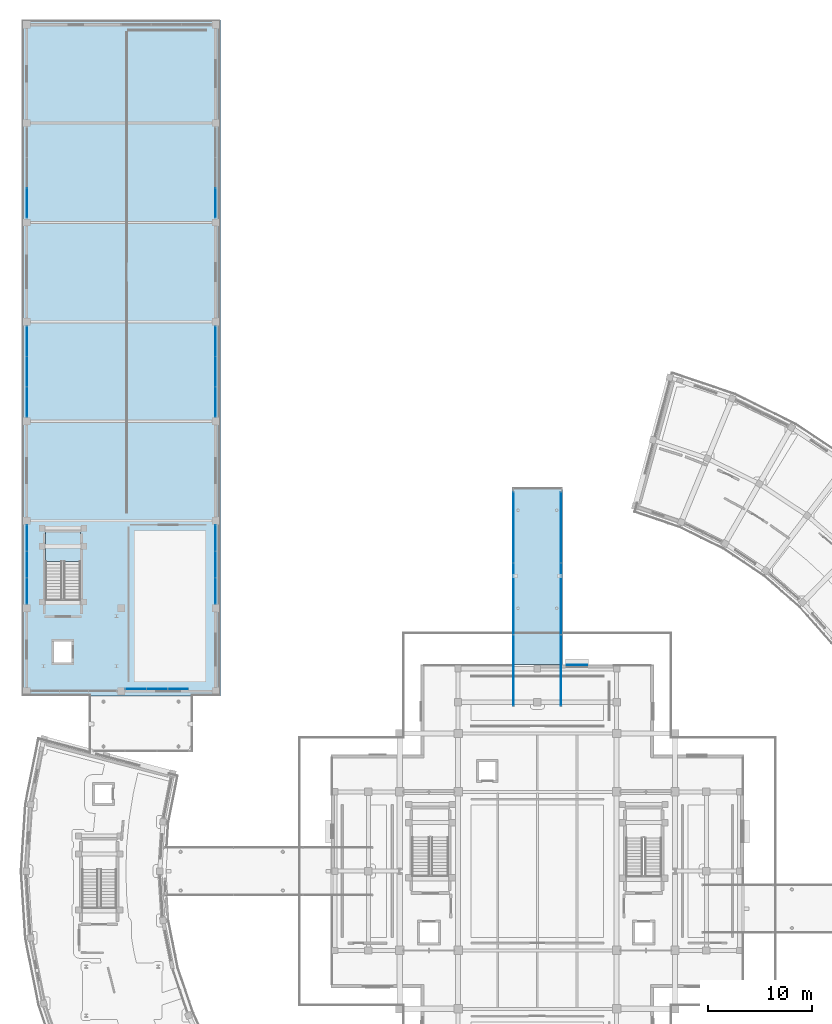
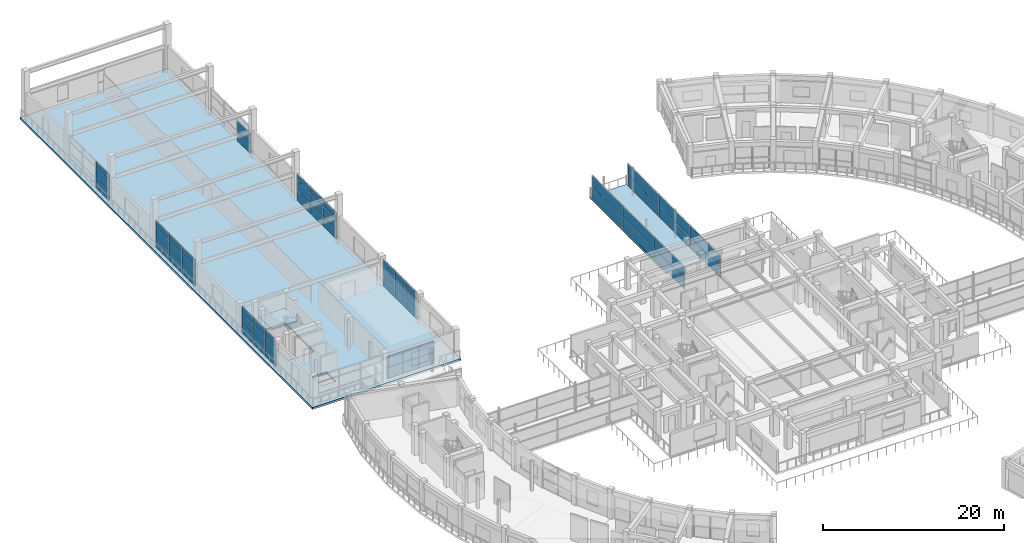
# One storey, part 41 of 72: 60 plates, 3 slabs, 10 elements without a shape of their own.
"""IFC4 building model written with IfcOpenShell, lengths in metres."""

from ifc_helpers import new_model, si_unit, direction, frame, origin, origin_2d, place, context, subcontext, project, spatial, polyline, rectangle, outline, extrude, material, layer, layer_set, type_object, element, aggregate, save


model = new_model("IFC4")

# Units and contexts
model_context = context("Model", 3, precision=1e-05, world=origin(), true_north=direction((0.0, 1.0)))
body_context = subcontext(model_context, "Body", "Model", "MODEL_VIEW")
ifc_project = project(units=[si_unit("LENGTHUNIT", "METRE"), si_unit("AREAUNIT", "SQUARE_METRE"), si_unit("VOLUMEUNIT", "CUBIC_METRE"), si_unit("PLANEANGLEUNIT", "RADIAN"), si_unit("MASSUNIT", "GRAM", prefix="KILO")], contexts=[model_context])

# Site, building, storey
site_placement = place(None, origin())
site = spatial("IfcSite", under=ifc_project, at=site_placement, CompositionType="ELEMENT")
building_placement = place(site_placement, origin())
building = spatial("IfcBuilding", under=site, at=building_placement, Name="Saryqyr Civic Hall", CompositionType="ELEMENT")
storey_placement = place(building_placement, frame((0.0, 0.0, 17.25)))
storey = spatial("IfcBuildingStorey", under=building, at=storey_placement, Name="L04", CompositionType="ELEMENT", Elevation=17.25)

# Curtain wall, plates
ifc_material_1 = material(Name="Anodised aluminium and triple low-E glass", Category="aluminium")
curtain_wall_type_1 = type_object("IfcCurtainWallType", Name="ENV-CW-STD-55", PredefinedType="NOTDEFINED", material=ifc_material_1)
curtain_wall_1_placement = place(storey_placement, origin())
curtain_wall_1 = element("IfcCurtainWall", 1, at=curtain_wall_1_placement, inside=storey, type_object=curtain_wall_type_1, Name="Curtain wall V3-CW-L04-1-1", PredefinedType="NOTDEFINED")
ifc_material_2 = material(Name="Triple low-E insulated glazing", Category="glass")
ifc_layer_1 = layer(ifc_material_2, 0.053955078125, Name="Triple low-E insulated glazing")
ifc_layer_set_1 = layer_set([ifc_layer_1], Name="Triple low-E insulated glazing")
plate_type_1 = type_object("IfcPlateType", Name="ENV-CW-PNL-38", PredefinedType="CURTAIN_PANEL", material=ifc_layer_set_1)
plate_1_placement = place(storey_placement, frame((26.14990234375, 148.05322265625, 0.06005859375), z_axis=(0.0, 0.0, 1.0), x_axis=(0.0, -1.0, 0.0)))
plate_1 = element("IfcPlate", 2, at=plate_1_placement, type_object=plate_type_1, Name="CW-55 panel 3.1", PredefinedType="CURTAIN_PANEL", context=body_context, shape_type="SweptSolid", body=[
    extrude(rectangle(XDim=2.82666015625, YDim=0.053955078125, at=origin_2d()), origin(), (0.0, 0.0, 1.0), 1.241943359375),
])
plate_2_placement = place(storey_placement, frame((26.14990234375, 148.05322265625, 1.362060546875), z_axis=(0.0, 0.0, 1.0), x_axis=(0.0, -1.0, 0.0)))
plate_2 = element("IfcPlate", 3, at=plate_2_placement, type_object=plate_type_1, Name="CW-55 panel 3.2", PredefinedType="CURTAIN_PANEL", context=body_context, shape_type="SweptSolid", body=[
    extrude(rectangle(XDim=2.82666015625, YDim=0.053955078125, at=origin_2d()), origin(), (0.0, 0.0, 1.0), 1.419921875),
])
aggregate(curtain_wall_1, [plate_1, plate_2])

curtain_wall_2_placement = place(storey_placement, origin())
curtain_wall_2 = element("IfcCurtainWall", 4, at=curtain_wall_2_placement, inside=storey, type_object=curtain_wall_type_1, Name="Curtain wall V3-CW-L04-1-3", PredefinedType="NOTDEFINED")
plate_3_placement = place(storey_placement, frame((26.14990234375, 134.796630859375, 0.06005859375), z_axis=(0.0, 0.0, 1.0), x_axis=(0.0, -1.0, 0.0)))
plate_3 = element("IfcPlate", 5, at=plate_3_placement, type_object=plate_type_1, Name="CW-55 panel 1.1", PredefinedType="CURTAIN_PANEL", context=body_context, shape_type="SweptSolid", body=[
    extrude(rectangle(XDim=2.82666015625, YDim=0.053955078125, at=origin_2d()), origin(), (0.0, 0.0, 1.0), 1.241943359375),
])
plate_4_placement = place(storey_placement, frame((26.14990234375, 134.796630859375, 1.362060546875), z_axis=(0.0, 0.0, 1.0), x_axis=(0.0, -1.0, 0.0)))
plate_4 = element("IfcPlate", 6, at=plate_4_placement, type_object=plate_type_1, Name="CW-55 panel 1.2", PredefinedType="CURTAIN_PANEL", context=body_context, shape_type="SweptSolid", body=[
    extrude(rectangle(XDim=2.82666015625, YDim=0.053955078125, at=origin_2d()), origin(), (0.0, 0.0, 1.0), 1.419921875),
])
plate_5_placement = place(storey_placement, frame((26.14990234375, 134.796630859375, 2.841796875), z_axis=(0.0, 0.0, 1.0), x_axis=(0.0, -1.0, 0.0)))
plate_5 = element("IfcPlate", 7, at=plate_5_placement, type_object=plate_type_1, Name="CW-55 panel 1.3", PredefinedType="CURTAIN_PANEL", context=body_context, shape_type="SweptSolid", body=[
    extrude(rectangle(XDim=2.82666015625, YDim=0.053955078125, at=origin_2d()), origin(), (0.0, 0.0, 1.0), 0.798095703125),
])
plate_6_placement = place(storey_placement, frame((26.14990234375, 131.89501953125, 0.06005859375), z_axis=(0.0, 0.0, 1.0), x_axis=(0.0, -1.0, 0.0)))
plate_6 = element("IfcPlate", 8, at=plate_6_placement, type_object=plate_type_1, Name="CW-55 panel 2.1", PredefinedType="CURTAIN_PANEL", context=body_context, shape_type="SweptSolid", body=[
    extrude(rectangle(XDim=2.856689453125, YDim=0.053955078125, at=origin_2d()), origin(), (0.0, 0.0, 1.0), 1.241943359375),
])
plate_7_placement = place(storey_placement, frame((26.14990234375, 131.89501953125, 1.362060546875), z_axis=(0.0, 0.0, 1.0), x_axis=(0.0, -1.0, 0.0)))
plate_7 = element("IfcPlate", 9, at=plate_7_placement, type_object=plate_type_1, Name="CW-55 panel 2.2", PredefinedType="CURTAIN_PANEL", context=body_context, shape_type="SweptSolid", body=[
    extrude(rectangle(XDim=2.856689453125, YDim=0.053955078125, at=origin_2d()), origin(), (0.0, 0.0, 1.0), 1.419921875),
])
plate_8_placement = place(storey_placement, frame((26.14990234375, 131.89501953125, 2.841796875), z_axis=(0.0, 0.0, 1.0), x_axis=(0.0, -1.0, 0.0)))
plate_8 = element("IfcPlate", 10, at=plate_8_placement, type_object=plate_type_1, Name="CW-55 panel 2.3", PredefinedType="CURTAIN_PANEL", context=body_context, shape_type="SweptSolid", body=[
    extrude(rectangle(XDim=2.856689453125, YDim=0.053955078125, at=origin_2d()), origin(), (0.0, 0.0, 1.0), 0.798095703125),
])
plate_9_placement = place(storey_placement, frame((26.14990234375, 128.993408203125, 0.06005859375), z_axis=(0.0, 0.0, 1.0), x_axis=(0.0, -1.0, 0.0)))
plate_9 = element("IfcPlate", 11, at=plate_9_placement, type_object=plate_type_1, Name="CW-55 panel 3.1", PredefinedType="CURTAIN_PANEL", context=body_context, shape_type="SweptSolid", body=[
    extrude(rectangle(XDim=2.82666015625, YDim=0.053955078125, at=origin_2d()), origin(), (0.0, 0.0, 1.0), 1.241943359375),
])
plate_10_placement = place(storey_placement, frame((26.14990234375, 128.993408203125, 1.362060546875), z_axis=(0.0, 0.0, 1.0), x_axis=(0.0, -1.0, 0.0)))
plate_10 = element("IfcPlate", 12, at=plate_10_placement, type_object=plate_type_1, Name="CW-55 panel 3.2", PredefinedType="CURTAIN_PANEL", context=body_context, shape_type="SweptSolid", body=[
    extrude(rectangle(XDim=2.82666015625, YDim=0.053955078125, at=origin_2d()), origin(), (0.0, 0.0, 1.0), 1.419921875),
])
plate_11_placement = place(storey_placement, frame((26.14990234375, 128.993408203125, 2.841796875), z_axis=(0.0, 0.0, 1.0), x_axis=(0.0, -1.0, 0.0)))
plate_11 = element("IfcPlate", 13, at=plate_11_placement, type_object=plate_type_1, Name="CW-55 panel 3.3", PredefinedType="CURTAIN_PANEL", context=body_context, shape_type="SweptSolid", body=[
    extrude(rectangle(XDim=2.82666015625, YDim=0.053955078125, at=origin_2d()), origin(), (0.0, 0.0, 1.0), 0.798095703125),
])
aggregate(curtain_wall_2, [plate_3, plate_4, plate_5, plate_6, plate_7, plate_8, plate_9, plate_10, plate_11])

curtain_wall_type_2 = type_object("IfcCurtainWallType", Name="ENV-CW-STD-56", PredefinedType="NOTDEFINED", material=ifc_material_1)
curtain_wall_3_placement = place(storey_placement, origin())
curtain_wall_3 = element("IfcCurtainWall", 14, at=curtain_wall_3_placement, inside=storey, type_object=curtain_wall_type_2, Name="Curtain wall V3-CW-L04-1-5", PredefinedType="NOTDEFINED")
plate_12_placement = place(storey_placement, frame((26.14990234375, 115.925048828125, 0.06005859375), z_axis=(0.0, 0.0, 1.0), x_axis=(0.0, -1.0, 0.0)))
plate_12 = element("IfcPlate", 15, at=plate_12_placement, type_object=plate_type_1, Name="CW-56 panel 1.1", PredefinedType="CURTAIN_PANEL", context=body_context, shape_type="SweptSolid", body=[
    extrude(rectangle(XDim=2.449951171875, YDim=0.053955078125, at=origin_2d()), origin(), (0.0, 0.0, 1.0), 1.241943359375),
])
plate_13_placement = place(storey_placement, frame((26.14990234375, 115.925048828125, 1.362060546875), z_axis=(0.0, 0.0, 1.0), x_axis=(0.0, -1.0, 0.0)))
plate_13 = element("IfcPlate", 16, at=plate_13_placement, type_object=plate_type_1, Name="CW-56 panel 1.2", PredefinedType="CURTAIN_PANEL", context=body_context, shape_type="SweptSolid", body=[
    extrude(rectangle(XDim=2.449951171875, YDim=0.053955078125, at=origin_2d()), origin(), (0.0, 0.0, 1.0), 1.419921875),
])
plate_14_placement = place(storey_placement, frame((26.14990234375, 115.925048828125, 2.841796875), z_axis=(0.0, 0.0, 1.0), x_axis=(0.0, -1.0, 0.0)))
plate_14 = element("IfcPlate", 17, at=plate_14_placement, type_object=plate_type_1, Name="CW-56 panel 1.3", PredefinedType="CURTAIN_PANEL", context=body_context, shape_type="SweptSolid", body=[
    extrude(rectangle(XDim=2.449951171875, YDim=0.053955078125, at=origin_2d()), origin(), (0.0, 0.0, 1.0), 0.798095703125),
])
plate_15_placement = place(storey_placement, frame((26.14990234375, 113.39990234375, 0.06005859375), z_axis=(0.0, 0.0, 1.0), x_axis=(0.0, -1.0, 0.0)))
plate_15 = element("IfcPlate", 18, at=plate_15_placement, type_object=plate_type_1, Name="CW-56 panel 2.1", PredefinedType="CURTAIN_PANEL", context=body_context, shape_type="SweptSolid", body=[
    extrude(rectangle(XDim=2.47998046875, YDim=0.053955078125, at=origin_2d()), origin(), (0.0, 0.0, 1.0), 1.241943359375),
])
plate_16_placement = place(storey_placement, frame((26.14990234375, 113.39990234375, 1.362060546875), z_axis=(0.0, 0.0, 1.0), x_axis=(0.0, -1.0, 0.0)))
plate_16 = element("IfcPlate", 19, at=plate_16_placement, type_object=plate_type_1, Name="CW-56 panel 2.2", PredefinedType="CURTAIN_PANEL", context=body_context, shape_type="SweptSolid", body=[
    extrude(rectangle(XDim=2.47998046875, YDim=0.053955078125, at=origin_2d()), origin(), (0.0, 0.0, 1.0), 1.419921875),
])
plate_17_placement = place(storey_placement, frame((26.14990234375, 113.39990234375, 2.841796875), z_axis=(0.0, 0.0, 1.0), x_axis=(0.0, -1.0, 0.0)))
plate_17 = element("IfcPlate", 20, at=plate_17_placement, type_object=plate_type_1, Name="CW-56 panel 2.3", PredefinedType="CURTAIN_PANEL", context=body_context, shape_type="SweptSolid", body=[
    extrude(rectangle(XDim=2.47998046875, YDim=0.053955078125, at=origin_2d()), origin(), (0.0, 0.0, 1.0), 0.798095703125),
])
plate_18_placement = place(storey_placement, frame((26.14990234375, 110.875, 0.06005859375), z_axis=(0.0, 0.0, 1.0), x_axis=(0.0, -1.0, 0.0)))
plate_18 = element("IfcPlate", 21, at=plate_18_placement, type_object=plate_type_1, Name="CW-56 panel 3.1", PredefinedType="CURTAIN_PANEL", context=body_context, shape_type="SweptSolid", body=[
    extrude(rectangle(XDim=2.449951171875, YDim=0.053955078125, at=origin_2d()), origin(), (0.0, 0.0, 1.0), 1.241943359375),
])
plate_19_placement = place(storey_placement, frame((26.14990234375, 110.875, 1.362060546875), z_axis=(0.0, 0.0, 1.0), x_axis=(0.0, -1.0, 0.0)))
plate_19 = element("IfcPlate", 22, at=plate_19_placement, type_object=plate_type_1, Name="CW-56 panel 3.2", PredefinedType="CURTAIN_PANEL", context=body_context, shape_type="SweptSolid", body=[
    extrude(rectangle(XDim=2.449951171875, YDim=0.053955078125, at=origin_2d()), origin(), (0.0, 0.0, 1.0), 1.419921875),
])
plate_20_placement = place(storey_placement, frame((26.14990234375, 110.875, 2.841796875), z_axis=(0.0, 0.0, 1.0), x_axis=(0.0, -1.0, 0.0)))
plate_20 = element("IfcPlate", 23, at=plate_20_placement, type_object=plate_type_1, Name="CW-56 panel 3.3", PredefinedType="CURTAIN_PANEL", context=body_context, shape_type="SweptSolid", body=[
    extrude(rectangle(XDim=2.449951171875, YDim=0.053955078125, at=origin_2d()), origin(), (0.0, 0.0, 1.0), 0.798095703125),
])
aggregate(curtain_wall_3, [plate_12, plate_13, plate_14, plate_15, plate_16, plate_17, plate_18, plate_19, plate_20])

curtain_wall_4_placement = place(storey_placement, origin())
curtain_wall_4 = element("IfcCurtainWall", 24, at=curtain_wall_4_placement, inside=storey, type_object=curtain_wall_type_2, Name="Curtain wall V3-CW-L04-3-1", PredefinedType="NOTDEFINED")
plate_21_placement = place(storey_placement, frame((8.050048828125, 110.875, 0.06005859375), z_axis=(0.0, 0.0, 1.0), x_axis=(0.0, 1.0, 0.0)))
plate_21 = element("IfcPlate", 25, at=plate_21_placement, type_object=plate_type_1, Name="CW-56 panel 1.1", PredefinedType="CURTAIN_PANEL", context=body_context, shape_type="SweptSolid", body=[
    extrude(rectangle(XDim=2.449951171875, YDim=0.053955078125, at=origin_2d()), origin(), (0.0, 0.0, 1.0), 1.241943359375),
])
plate_22_placement = place(storey_placement, frame((8.050048828125, 110.875, 1.362060546875), z_axis=(0.0, 0.0, 1.0), x_axis=(0.0, 1.0, 0.0)))
plate_22 = element("IfcPlate", 26, at=plate_22_placement, type_object=plate_type_1, Name="CW-56 panel 1.2", PredefinedType="CURTAIN_PANEL", context=body_context, shape_type="SweptSolid", body=[
    extrude(rectangle(XDim=2.449951171875, YDim=0.053955078125, at=origin_2d()), origin(), (0.0, 0.0, 1.0), 1.419921875),
])
plate_23_placement = place(storey_placement, frame((8.050048828125, 110.875, 2.841796875), z_axis=(0.0, 0.0, 1.0), x_axis=(0.0, 1.0, 0.0)))
plate_23 = element("IfcPlate", 27, at=plate_23_placement, type_object=plate_type_1, Name="CW-56 panel 1.3", PredefinedType="CURTAIN_PANEL", context=body_context, shape_type="SweptSolid", body=[
    extrude(rectangle(XDim=2.449951171875, YDim=0.053955078125, at=origin_2d()), origin(), (0.0, 0.0, 1.0), 0.798095703125),
])
plate_24_placement = place(storey_placement, frame((8.050048828125, 113.39990234375, 0.06005859375), z_axis=(0.0, 0.0, 1.0), x_axis=(0.0, 1.0, 0.0)))
plate_24 = element("IfcPlate", 28, at=plate_24_placement, type_object=plate_type_1, Name="CW-56 panel 2.1", PredefinedType="CURTAIN_PANEL", context=body_context, shape_type="SweptSolid", body=[
    extrude(rectangle(XDim=2.47998046875, YDim=0.053955078125, at=origin_2d()), origin(), (0.0, 0.0, 1.0), 1.241943359375),
])
plate_25_placement = place(storey_placement, frame((8.050048828125, 113.39990234375, 1.362060546875), z_axis=(0.0, 0.0, 1.0), x_axis=(0.0, 1.0, 0.0)))
plate_25 = element("IfcPlate", 29, at=plate_25_placement, type_object=plate_type_1, Name="CW-56 panel 2.2", PredefinedType="CURTAIN_PANEL", context=body_context, shape_type="SweptSolid", body=[
    extrude(rectangle(XDim=2.47998046875, YDim=0.053955078125, at=origin_2d()), origin(), (0.0, 0.0, 1.0), 1.419921875),
])
plate_26_placement = place(storey_placement, frame((8.050048828125, 113.39990234375, 2.841796875), z_axis=(0.0, 0.0, 1.0), x_axis=(0.0, 1.0, 0.0)))
plate_26 = element("IfcPlate", 30, at=plate_26_placement, type_object=plate_type_1, Name="CW-56 panel 2.3", PredefinedType="CURTAIN_PANEL", context=body_context, shape_type="SweptSolid", body=[
    extrude(rectangle(XDim=2.47998046875, YDim=0.053955078125, at=origin_2d()), origin(), (0.0, 0.0, 1.0), 0.798095703125),
])
plate_27_placement = place(storey_placement, frame((8.050048828125, 115.925048828125, 0.06005859375), z_axis=(0.0, 0.0, 1.0), x_axis=(0.0, 1.0, 0.0)))
plate_27 = element("IfcPlate", 31, at=plate_27_placement, type_object=plate_type_1, Name="CW-56 panel 3.1", PredefinedType="CURTAIN_PANEL", context=body_context, shape_type="SweptSolid", body=[
    extrude(rectangle(XDim=2.449951171875, YDim=0.053955078125, at=origin_2d()), origin(), (0.0, 0.0, 1.0), 1.241943359375),
])
plate_28_placement = place(storey_placement, frame((8.050048828125, 115.925048828125, 1.362060546875), z_axis=(0.0, 0.0, 1.0), x_axis=(0.0, 1.0, 0.0)))
plate_28 = element("IfcPlate", 32, at=plate_28_placement, type_object=plate_type_1, Name="CW-56 panel 3.2", PredefinedType="CURTAIN_PANEL", context=body_context, shape_type="SweptSolid", body=[
    extrude(rectangle(XDim=2.449951171875, YDim=0.053955078125, at=origin_2d()), origin(), (0.0, 0.0, 1.0), 1.419921875),
])
plate_29_placement = place(storey_placement, frame((8.050048828125, 115.925048828125, 2.841796875), z_axis=(0.0, 0.0, 1.0), x_axis=(0.0, 1.0, 0.0)))
plate_29 = element("IfcPlate", 33, at=plate_29_placement, type_object=plate_type_1, Name="CW-56 panel 3.3", PredefinedType="CURTAIN_PANEL", context=body_context, shape_type="SweptSolid", body=[
    extrude(rectangle(XDim=2.449951171875, YDim=0.053955078125, at=origin_2d()), origin(), (0.0, 0.0, 1.0), 0.798095703125),
])
aggregate(curtain_wall_4, [plate_21, plate_22, plate_23, plate_24, plate_25, plate_26, plate_27, plate_28, plate_29])

curtain_wall_5_placement = place(storey_placement, origin())
curtain_wall_5 = element("IfcCurtainWall", 34, at=curtain_wall_5_placement, inside=storey, type_object=curtain_wall_type_1, Name="Curtain wall V3-CW-L04-3-3", PredefinedType="NOTDEFINED")
plate_30_placement = place(storey_placement, frame((8.050048828125, 128.993408203125, 0.06005859375), z_axis=(0.0, 0.0, 1.0), x_axis=(0.0, 1.0, 0.0)))
plate_30 = element("IfcPlate", 35, at=plate_30_placement, type_object=plate_type_1, Name="CW-55 panel 1.1", PredefinedType="CURTAIN_PANEL", context=body_context, shape_type="SweptSolid", body=[
    extrude(rectangle(XDim=2.82666015625, YDim=0.053955078125, at=origin_2d()), origin(), (0.0, 0.0, 1.0), 1.241943359375),
])
plate_31_placement = place(storey_placement, frame((8.050048828125, 128.993408203125, 1.362060546875), z_axis=(0.0, 0.0, 1.0), x_axis=(0.0, 1.0, 0.0)))
plate_31 = element("IfcPlate", 36, at=plate_31_placement, type_object=plate_type_1, Name="CW-55 panel 1.2", PredefinedType="CURTAIN_PANEL", context=body_context, shape_type="SweptSolid", body=[
    extrude(rectangle(XDim=2.82666015625, YDim=0.053955078125, at=origin_2d()), origin(), (0.0, 0.0, 1.0), 1.419921875),
])
plate_32_placement = place(storey_placement, frame((8.050048828125, 128.993408203125, 2.841796875), z_axis=(0.0, 0.0, 1.0), x_axis=(0.0, 1.0, 0.0)))
plate_32 = element("IfcPlate", 37, at=plate_32_placement, type_object=plate_type_1, Name="CW-55 panel 1.3", PredefinedType="CURTAIN_PANEL", context=body_context, shape_type="SweptSolid", body=[
    extrude(rectangle(XDim=2.82666015625, YDim=0.053955078125, at=origin_2d()), origin(), (0.0, 0.0, 1.0), 0.798095703125),
])
plate_33_placement = place(storey_placement, frame((8.050048828125, 131.89501953125, 0.06005859375), z_axis=(0.0, 0.0, 1.0), x_axis=(0.0, 1.0, 0.0)))
plate_33 = element("IfcPlate", 38, at=plate_33_placement, type_object=plate_type_1, Name="CW-55 panel 2.1", PredefinedType="CURTAIN_PANEL", context=body_context, shape_type="SweptSolid", body=[
    extrude(rectangle(XDim=2.856689453125, YDim=0.053955078125, at=origin_2d()), origin(), (0.0, 0.0, 1.0), 1.241943359375),
])
plate_34_placement = place(storey_placement, frame((8.050048828125, 131.89501953125, 1.362060546875), z_axis=(0.0, 0.0, 1.0), x_axis=(0.0, 1.0, 0.0)))
plate_34 = element("IfcPlate", 39, at=plate_34_placement, type_object=plate_type_1, Name="CW-55 panel 2.2", PredefinedType="CURTAIN_PANEL", context=body_context, shape_type="SweptSolid", body=[
    extrude(rectangle(XDim=2.856689453125, YDim=0.053955078125, at=origin_2d()), origin(), (0.0, 0.0, 1.0), 1.419921875),
])
plate_35_placement = place(storey_placement, frame((8.050048828125, 131.89501953125, 2.841796875), z_axis=(0.0, 0.0, 1.0), x_axis=(0.0, 1.0, 0.0)))
plate_35 = element("IfcPlate", 40, at=plate_35_placement, type_object=plate_type_1, Name="CW-55 panel 2.3", PredefinedType="CURTAIN_PANEL", context=body_context, shape_type="SweptSolid", body=[
    extrude(rectangle(XDim=2.856689453125, YDim=0.053955078125, at=origin_2d()), origin(), (0.0, 0.0, 1.0), 0.798095703125),
])
plate_36_placement = place(storey_placement, frame((8.050048828125, 134.796630859375, 0.06005859375), z_axis=(0.0, 0.0, 1.0), x_axis=(0.0, 1.0, 0.0)))
plate_36 = element("IfcPlate", 41, at=plate_36_placement, type_object=plate_type_1, Name="CW-55 panel 3.1", PredefinedType="CURTAIN_PANEL", context=body_context, shape_type="SweptSolid", body=[
    extrude(rectangle(XDim=2.82666015625, YDim=0.053955078125, at=origin_2d()), origin(), (0.0, 0.0, 1.0), 1.241943359375),
])
plate_37_placement = place(storey_placement, frame((8.050048828125, 134.796630859375, 1.362060546875), z_axis=(0.0, 0.0, 1.0), x_axis=(0.0, 1.0, 0.0)))
plate_37 = element("IfcPlate", 42, at=plate_37_placement, type_object=plate_type_1, Name="CW-55 panel 3.2", PredefinedType="CURTAIN_PANEL", context=body_context, shape_type="SweptSolid", body=[
    extrude(rectangle(XDim=2.82666015625, YDim=0.053955078125, at=origin_2d()), origin(), (0.0, 0.0, 1.0), 1.419921875),
])
plate_38_placement = place(storey_placement, frame((8.050048828125, 134.796630859375, 2.841796875), z_axis=(0.0, 0.0, 1.0), x_axis=(0.0, 1.0, 0.0)))
plate_38 = element("IfcPlate", 43, at=plate_38_placement, type_object=plate_type_1, Name="CW-55 panel 3.3", PredefinedType="CURTAIN_PANEL", context=body_context, shape_type="SweptSolid", body=[
    extrude(rectangle(XDim=2.82666015625, YDim=0.053955078125, at=origin_2d()), origin(), (0.0, 0.0, 1.0), 0.798095703125),
])
aggregate(curtain_wall_5, [plate_30, plate_31, plate_32, plate_33, plate_34, plate_35, plate_36, plate_37, plate_38])

curtain_wall_6_placement = place(storey_placement, origin())
curtain_wall_6 = element("IfcCurtainWall", 44, at=curtain_wall_6_placement, inside=storey, type_object=curtain_wall_type_1, Name="Curtain wall V3-CW-L04-3-5", PredefinedType="NOTDEFINED")
plate_39_placement = place(storey_placement, frame((8.050048828125, 148.05322265625, 0.06005859375), z_axis=(0.0, 0.0, 1.0), x_axis=(0.0, 1.0, 0.0)))
plate_39 = element("IfcPlate", 45, at=plate_39_placement, type_object=plate_type_1, Name="CW-55 panel 1.1", PredefinedType="CURTAIN_PANEL", context=body_context, shape_type="SweptSolid", body=[
    extrude(rectangle(XDim=2.82666015625, YDim=0.053955078125, at=origin_2d()), origin(), (0.0, 0.0, 1.0), 1.241943359375),
])
plate_40_placement = place(storey_placement, frame((8.050048828125, 148.05322265625, 1.362060546875), z_axis=(0.0, 0.0, 1.0), x_axis=(0.0, 1.0, 0.0)))
plate_40 = element("IfcPlate", 46, at=plate_40_placement, type_object=plate_type_1, Name="CW-55 panel 1.2", PredefinedType="CURTAIN_PANEL", context=body_context, shape_type="SweptSolid", body=[
    extrude(rectangle(XDim=2.82666015625, YDim=0.053955078125, at=origin_2d()), origin(), (0.0, 0.0, 1.0), 1.419921875),
])
plate_41_placement = place(storey_placement, frame((8.050048828125, 148.05322265625, 2.841796875), z_axis=(0.0, 0.0, 1.0), x_axis=(0.0, 1.0, 0.0)))
plate_41 = element("IfcPlate", 47, at=plate_41_placement, type_object=plate_type_1, Name="CW-55 panel 1.3", PredefinedType="CURTAIN_PANEL", context=body_context, shape_type="SweptSolid", body=[
    extrude(rectangle(XDim=2.82666015625, YDim=0.053955078125, at=origin_2d()), origin(), (0.0, 0.0, 1.0), 0.798095703125),
])
aggregate(curtain_wall_6, [plate_39, plate_40, plate_41])

curtain_wall_type_3 = type_object("IfcCurtainWallType", Name="ENV-CW-STD-83", PredefinedType="NOTDEFINED", material=ifc_material_1)
curtain_wall_7_placement = place(storey_placement, origin())
curtain_wall_7 = element("IfcCurtainWall", 48, at=curtain_wall_7_placement, inside=storey, type_object=curtain_wall_type_3, Name="Curtain wall BR-NW-CW2-L04", PredefinedType="NOTDEFINED")
plate_42_placement = place(storey_placement, frame((18.5234375, 101.47998046875, 0.06005859375), z_axis=(0.0, 0.0, 1.0), x_axis=(1.0, 0.0, 0.0)))
plate_42 = element("IfcPlate", 49, at=plate_42_placement, type_object=plate_type_1, Name="CW-83 panel 1.1", PredefinedType="CURTAIN_PANEL", context=body_context, shape_type="SweptSolid", body=[
    extrude(rectangle(XDim=1.94677734375, YDim=0.053955078125, at=origin_2d()), origin(), (0.0, 0.0, 1.0), 1.4599609375),
])
plate_43_placement = place(storey_placement, frame((18.5234375, 101.47998046875, 1.580078125), z_axis=(0.0, 0.0, 1.0), x_axis=(1.0, 0.0, 0.0)))
plate_43 = element("IfcPlate", 50, at=plate_43_placement, type_object=plate_type_1, Name="CW-83 panel 1.2", PredefinedType="CURTAIN_PANEL", context=body_context, shape_type="SweptSolid", body=[
    extrude(rectangle(XDim=1.94677734375, YDim=0.053955078125, at=origin_2d()), origin(), (0.0, 0.0, 1.0), 1.4599609375),
])
plate_44_placement = place(storey_placement, frame((20.544921875, 101.47998046875, 0.06005859375), z_axis=(0.0, 0.0, 1.0), x_axis=(1.0, 0.0, 0.0)))
plate_44 = element("IfcPlate", 51, at=plate_44_placement, type_object=plate_type_1, Name="CW-83 panel 2.1", PredefinedType="CURTAIN_PANEL", context=body_context, shape_type="SweptSolid", body=[
    extrude(rectangle(XDim=1.9765625, YDim=0.053955078125, at=origin_2d()), origin(), (0.0, 0.0, 1.0), 1.4599609375),
])
plate_45_placement = place(storey_placement, frame((20.544921875, 101.47998046875, 1.580078125), z_axis=(0.0, 0.0, 1.0), x_axis=(1.0, 0.0, 0.0)))
plate_45 = element("IfcPlate", 52, at=plate_45_placement, type_object=plate_type_1, Name="CW-83 panel 2.2", PredefinedType="CURTAIN_PANEL", context=body_context, shape_type="SweptSolid", body=[
    extrude(rectangle(XDim=1.9765625, YDim=0.053955078125, at=origin_2d()), origin(), (0.0, 0.0, 1.0), 1.4599609375),
])
plate_46_placement = place(storey_placement, frame((22.566650390625, 101.47998046875, 0.06005859375), z_axis=(0.0, 0.0, 1.0), x_axis=(1.0, 0.0, 0.0)))
plate_46 = element("IfcPlate", 53, at=plate_46_placement, type_object=plate_type_1, Name="CW-83 panel 3.1", PredefinedType="CURTAIN_PANEL", context=body_context, shape_type="SweptSolid", body=[
    extrude(rectangle(XDim=1.94677734375, YDim=0.053955078125, at=origin_2d()), origin(), (0.0, 0.0, 1.0), 1.4599609375),
])
plate_47_placement = place(storey_placement, frame((22.566650390625, 101.47998046875, 1.580078125), z_axis=(0.0, 0.0, 1.0), x_axis=(1.0, 0.0, 0.0)))
plate_47 = element("IfcPlate", 54, at=plate_47_placement, type_object=plate_type_1, Name="CW-83 panel 3.2", PredefinedType="CURTAIN_PANEL", context=body_context, shape_type="SweptSolid", body=[
    extrude(rectangle(XDim=1.94677734375, YDim=0.053955078125, at=origin_2d()), origin(), (0.0, 0.0, 1.0), 1.4599609375),
])
aggregate(curtain_wall_7, [plate_42, plate_43, plate_44, plate_45, plate_46, plate_47])

curtain_wall_type_4 = type_object("IfcCurtainWallType", Name="ENV-CW-STD-88", PredefinedType="NOTDEFINED", material=ifc_material_1)
curtain_wall_8_placement = place(storey_placement, origin())
curtain_wall_8 = element("IfcCurtainWall", 55, at=curtain_wall_8_placement, inside=storey, type_object=curtain_wall_type_4, Name="Curtain wall BR-CN-CW1-L04", PredefinedType="NOTDEFINED")
plate_48_placement = place(storey_placement, frame((54.719970703125, 103.248291015625, 0.06005859375), z_axis=(0.0, 0.0, 1.0), x_axis=(0.0, 1.0, 0.0)))
plate_48 = element("IfcPlate", 56, at=plate_48_placement, type_object=plate_type_1, Name="CW-88 panel 1.1", PredefinedType="CURTAIN_PANEL", context=body_context, shape_type="SweptSolid", body=[
    extrude(rectangle(XDim=6.776611328125, YDim=0.053955078125, at=origin_2d()), origin(), (0.0, 0.0, 1.0), 1.452880859375),
])
plate_49_placement = place(storey_placement, frame((54.719970703125, 103.248291015625, 1.5732421875), z_axis=(0.0, 0.0, 1.0), x_axis=(0.0, 1.0, 0.0)))
plate_49 = element("IfcPlate", 57, at=plate_49_placement, type_object=plate_type_1, Name="CW-88 panel 1.2", PredefinedType="CURTAIN_PANEL", context=body_context, shape_type="SweptSolid", body=[
    extrude(rectangle(XDim=6.776611328125, YDim=0.053955078125, at=origin_2d()), origin(), (0.0, 0.0, 1.0), 1.451904296875),
])
plate_50_placement = place(storey_placement, frame((54.719970703125, 110.10009765625, 0.06005859375), z_axis=(0.0, 0.0, 1.0), x_axis=(0.0, 1.0, 0.0)))
plate_50 = element("IfcPlate", 58, at=plate_50_placement, type_object=plate_type_1, Name="CW-88 panel 2.1", PredefinedType="CURTAIN_PANEL", context=body_context, shape_type="SweptSolid", body=[
    extrude(rectangle(XDim=6.806640625, YDim=0.053955078125, at=origin_2d()), origin(), (0.0, 0.0, 1.0), 1.452880859375),
])
plate_51_placement = place(storey_placement, frame((54.719970703125, 110.10009765625, 1.5732421875), z_axis=(0.0, 0.0, 1.0), x_axis=(0.0, 1.0, 0.0)))
plate_51 = element("IfcPlate", 59, at=plate_51_placement, type_object=plate_type_1, Name="CW-88 panel 2.2", PredefinedType="CURTAIN_PANEL", context=body_context, shape_type="SweptSolid", body=[
    extrude(rectangle(XDim=6.806640625, YDim=0.053955078125, at=origin_2d()), origin(), (0.0, 0.0, 1.0), 1.451904296875),
])
plate_52_placement = place(storey_placement, frame((54.719970703125, 116.95166015625, 0.06005859375), z_axis=(0.0, 0.0, 1.0), x_axis=(0.0, 1.0, 0.0)))
plate_52 = element("IfcPlate", 60, at=plate_52_placement, type_object=plate_type_1, Name="CW-88 panel 3.1", PredefinedType="CURTAIN_PANEL", context=body_context, shape_type="SweptSolid", body=[
    extrude(rectangle(XDim=6.776611328125, YDim=0.053955078125, at=origin_2d()), origin(), (0.0, 0.0, 1.0), 1.452880859375),
])
plate_53_placement = place(storey_placement, frame((54.719970703125, 116.95166015625, 1.5732421875), z_axis=(0.0, 0.0, 1.0), x_axis=(0.0, 1.0, 0.0)))
plate_53 = element("IfcPlate", 61, at=plate_53_placement, type_object=plate_type_1, Name="CW-88 panel 3.2", PredefinedType="CURTAIN_PANEL", context=body_context, shape_type="SweptSolid", body=[
    extrude(rectangle(XDim=6.776611328125, YDim=0.053955078125, at=origin_2d()), origin(), (0.0, 0.0, 1.0), 1.451904296875),
])
aggregate(curtain_wall_8, [plate_48, plate_49, plate_50, plate_51, plate_52, plate_53])

curtain_wall_9_placement = place(storey_placement, origin())
curtain_wall_9 = element("IfcCurtainWall", 62, at=curtain_wall_9_placement, inside=storey, type_object=curtain_wall_type_4, Name="Curtain wall BR-CN-CW2-L04", PredefinedType="NOTDEFINED")
plate_54_placement = place(storey_placement, frame((59.280029296875, 116.95166015625, 0.06005859375), z_axis=(0.0, 0.0, 1.0), x_axis=(0.0, -1.0, 0.0)))
plate_54 = element("IfcPlate", 63, at=plate_54_placement, type_object=plate_type_1, Name="CW-88 panel 1.1", PredefinedType="CURTAIN_PANEL", context=body_context, shape_type="SweptSolid", body=[
    extrude(rectangle(XDim=6.776611328125, YDim=0.053955078125, at=origin_2d()), origin(), (0.0, 0.0, 1.0), 1.452880859375),
])
plate_55_placement = place(storey_placement, frame((59.280029296875, 116.95166015625, 1.5732421875), z_axis=(0.0, 0.0, 1.0), x_axis=(0.0, -1.0, 0.0)))
plate_55 = element("IfcPlate", 64, at=plate_55_placement, type_object=plate_type_1, Name="CW-88 panel 1.2", PredefinedType="CURTAIN_PANEL", context=body_context, shape_type="SweptSolid", body=[
    extrude(rectangle(XDim=6.776611328125, YDim=0.053955078125, at=origin_2d()), origin(), (0.0, 0.0, 1.0), 1.451904296875),
])
plate_56_placement = place(storey_placement, frame((59.280029296875, 110.10009765625, 0.06005859375), z_axis=(0.0, 0.0, 1.0), x_axis=(0.0, -1.0, 0.0)))
plate_56 = element("IfcPlate", 65, at=plate_56_placement, type_object=plate_type_1, Name="CW-88 panel 2.1", PredefinedType="CURTAIN_PANEL", context=body_context, shape_type="SweptSolid", body=[
    extrude(rectangle(XDim=6.806640625, YDim=0.053955078125, at=origin_2d()), origin(), (0.0, 0.0, 1.0), 1.452880859375),
])
plate_57_placement = place(storey_placement, frame((59.280029296875, 110.10009765625, 1.5732421875), z_axis=(0.0, 0.0, 1.0), x_axis=(0.0, -1.0, 0.0)))
plate_57 = element("IfcPlate", 66, at=plate_57_placement, type_object=plate_type_1, Name="CW-88 panel 2.2", PredefinedType="CURTAIN_PANEL", context=body_context, shape_type="SweptSolid", body=[
    extrude(rectangle(XDim=6.806640625, YDim=0.053955078125, at=origin_2d()), origin(), (0.0, 0.0, 1.0), 1.451904296875),
])
plate_58_placement = place(storey_placement, frame((59.280029296875, 103.248291015625, 0.06005859375), z_axis=(0.0, 0.0, 1.0), x_axis=(0.0, -1.0, 0.0)))
plate_58 = element("IfcPlate", 67, at=plate_58_placement, type_object=plate_type_1, Name="CW-88 panel 3.1", PredefinedType="CURTAIN_PANEL", context=body_context, shape_type="SweptSolid", body=[
    extrude(rectangle(XDim=6.776611328125, YDim=0.053955078125, at=origin_2d()), origin(), (0.0, 0.0, 1.0), 1.452880859375),
])
plate_59_placement = place(storey_placement, frame((59.280029296875, 103.248291015625, 1.5732421875), z_axis=(0.0, 0.0, 1.0), x_axis=(0.0, -1.0, 0.0)))
plate_59 = element("IfcPlate", 68, at=plate_59_placement, type_object=plate_type_1, Name="CW-88 panel 3.2", PredefinedType="CURTAIN_PANEL", context=body_context, shape_type="SweptSolid", body=[
    extrude(rectangle(XDim=6.776611328125, YDim=0.053955078125, at=origin_2d()), origin(), (0.0, 0.0, 1.0), 1.451904296875),
])
aggregate(curtain_wall_9, [plate_54, plate_55, plate_56, plate_57, plate_58, plate_59])

# Plate
ifc_material_3 = material(Name="Warm brushed brass-anodised aluminium", Category="aluminium")
ifc_layer_2 = layer(ifc_material_3, 0.031982421875, Name="Warm brushed brass-anodised aluminium")
ifc_layer_set_2 = layer_set([ifc_layer_2], Name="Warm brushed brass-anodised aluminium")
plate_type_2 = type_object("IfcPlateType", Name="ENV-PLT-BRASS-3", PredefinedType="SHEET", material=ifc_layer_set_2)
plate_60_placement = place(storey_placement, frame((60.800048828125, 103.759033203125, 0.080078125), z_axis=(0.0, 0.0, 1.0), x_axis=(1.0, 0.0, 0.0)))
element("IfcPlate", 69, at=plate_60_placement, inside=storey, type_object=plate_type_2, Name="Warm brass spandrel cladding sheet L04-05", PredefinedType="SHEET", context=body_context, shape_type="SweptSolid", body=[
    extrude(rectangle(XDim=2.0, YDim=0.031982421875, at=origin_2d()), origin(), (0.0, 0.0, 1.0), 0.679931640625),
])

# Slabs
ifc_material_4 = material(Name="Concrete C35/45", Category="concrete")
ifc_layer_3 = layer(ifc_material_4, 0.22998046875, Name="Concrete C35/45")
ifc_layer_set_3 = layer_set([ifc_layer_3], Name="Concrete C35/45")
slab_type_1 = type_object("IfcSlabType", Name="STR-SLB-FLR-230", PredefinedType="FLOOR", material=ifc_layer_set_3)
slab_1_placement = place(storey_placement, frame((0.0, 0.0, -0.22998046875)))
element("IfcSlab", 70, at=slab_1_placement, inside=storey, type_object=slab_type_1, Name="Slab SLB-BR-CN-L04", PredefinedType="FLOOR", context=body_context, shape_type="SweptSolid", body=[
    extrude(outline(polyline([(54.60009765625, 120.800048828125), (59.39990234375, 120.800048828125), (59.39990234375, 103.800048828125), (54.60009765625, 103.800048828125), (54.60009765625, 120.800048828125)])), origin(), (0.0, 0.0, 1.0), 0.22998046875),
])
ifc_layer_4 = layer(ifc_material_4, 0.260009765625, Name="Concrete C35/45")
ifc_layer_set_4 = layer_set([ifc_layer_4], Name="Concrete C35/45")
slab_type_2 = type_object("IfcSlabType", Name="STR-SLB-FLR-260", PredefinedType="FLOOR", material=ifc_layer_set_4)
slab_2_placement = place(storey_placement, frame((0.0, 0.0, -0.260009765625)))
element("IfcSlab", 71, at=slab_2_placement, inside=storey, type_object=slab_type_2, Name="Slab SLB-V3-L04", PredefinedType="FLOOR", context=body_context, shape_type="SweptSolid", body=[
    extrude(outline(polyline([(26.60009765625, 165.60009765625), (26.60009765625, 100.800048828125), (7.60009765625, 100.800048828125), (7.60009765625, 165.60009765625), (26.60009765625, 165.60009765625)]), holes=[polyline([(12.39990234375, 103.949951171875), (12.39990234375, 106.050048828125), (10.60009765625, 106.050048828125), (10.60009765625, 103.949951171875), (12.39990234375, 103.949951171875)]), polyline([(9.840087890625, 116.5), (9.840087890625, 110.080078125), (13.199951171875, 110.080078125), (13.199951171875, 116.5), (9.840087890625, 116.5)])]), origin(), (0.0, 0.0, 1.0), 0.260009765625),
])

# Stair, slab
stair_type = type_object("IfcStairType", Name="INT-STR-ST-3", PredefinedType="HALF_TURN_STAIR", material=ifc_material_4)
stair_placement = place(storey_placement, origin())
stair = element("IfcStair", 72, at=stair_placement, inside=storey, type_object=stair_type, Name="L04 Protected Exit Stair ST-3", PredefinedType="HALF_TURN_STAIR")
ifc_layer_5 = layer(ifc_material_4, 0.199951171875, Name="Concrete C35/45")
ifc_layer_set_5 = layer_set([ifc_layer_5], Name="Concrete C35/45")
slab_type_3 = type_object("IfcSlabType", Name="STR-SLB-LND-200", PredefinedType="LANDING", material=ifc_layer_set_5)
slab_3_placement = place(storey_placement, frame((0.0, 0.0, 1.824951171875)))
slab_3 = element("IfcSlab", 73, at=slab_3_placement, type_object=slab_type_3, Name="ST-3 landing 1", PredefinedType="LANDING", context=body_context, shape_type="SweptSolid", body=[
    extrude(outline(polyline([(13.199951171875, 113.679931640625), (13.199951171875, 116.5), (9.840087890625, 116.5), (9.840087890625, 113.679931640625), (13.199951171875, 113.679931640625)])), origin(), (0.0, 0.0, 1.0), 0.199951171875),
])
aggregate(stair, [slab_3])

save(model, "model.ifc")
